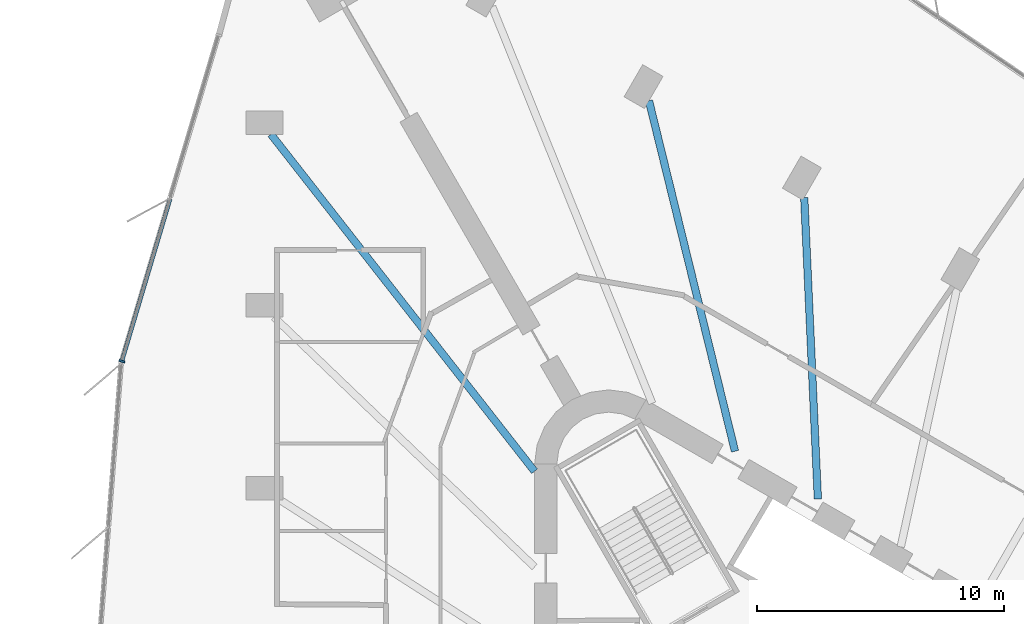
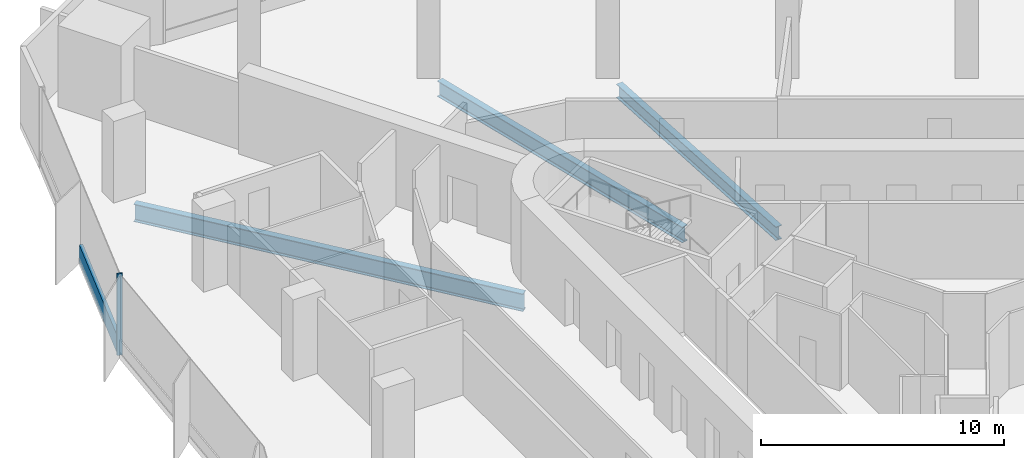
# One storey, part 4 of 15: 3 beams, 2 members, 1 element without a shape of its own.
"""IFC4 building model written with IfcOpenShell, lengths in metres."""

from ifc_helpers import new_model, si_unit, direction, frame, origin, origin_2d, place, context, subcontext, project, spatial, rectangle, i_section, extrude, material, material_profile, profile_set, type_object, element, aggregate, save


model = new_model("IFC4")

# Units and contexts
model_context = context("Model", 3, precision=1e-05, world=origin(), true_north=direction((0.0, 1.0)))
body_context = subcontext(model_context, "Body", "Model", "MODEL_VIEW")
ifc_project = project(units=[si_unit("LENGTHUNIT", "METRE"), si_unit("AREAUNIT", "SQUARE_METRE"), si_unit("VOLUMEUNIT", "CUBIC_METRE"), si_unit("PLANEANGLEUNIT", "RADIAN"), si_unit("MASSUNIT", "GRAM", prefix="KILO")], contexts=[model_context])

# Site, building, storey
site_placement = place(None, origin())
site = spatial("IfcSite", under=ifc_project, at=site_placement, CompositionType="ELEMENT")
building_placement = place(site_placement, origin())
building = spatial("IfcBuilding", under=site, at=building_placement, Name="Tanit Gate Tower", CompositionType="ELEMENT")
storey_placement = place(building_placement, frame((0.0, 0.0, 94.699951171875)))
storey = spatial("IfcBuildingStorey", under=building, at=storey_placement, Name="L19", CompositionType="ELEMENT", Elevation=94.699951171875)

# Curtain wall, member
ifc_material_1 = material(Name="Aluminium bronze anodised and glass", Category="aluminium")
curtain_wall_type = type_object("IfcCurtainWallType", Name="Curtain wall typical low", PredefinedType="NOTDEFINED", material=ifc_material_1)
curtain_wall_placement = place(storey_placement, origin())
curtain_wall = element("IfcCurtainWall", 1, at=curtain_wall_placement, inside=storey, type_object=curtain_wall_type, Name="Curtain wall L19 W1", PredefinedType="NOTDEFINED")
ifc_material_2 = material(Name="Aluminium bronze anodised", Category="aluminium")
ifc_material_profile_1 = material_profile(ifc_material_2, rectangle(XDim=0.239990234375, YDim=0.080078125, at=origin_2d()), Name="80x240 bronze mullion")
ifc_profile_set_1 = profile_set([ifc_material_profile_1], Name="Aluminium bronze anodised")
member_type_1 = type_object("IfcMemberType", Name="Mullion 80x240 typical low", PredefinedType="MULLION", material=ifc_profile_set_1)
member_1_placement = place(storey_placement, frame((-28.783935546875, 19.92041015625, -0.300048828125), z_axis=(0.0, 0.0, 1.0), x_axis=(0.958516563213, -0.285036836298, 0.0)))
member_1 = element("IfcMember", 2, at=member_1_placement, type_object=member_type_1, Name="Mullion L19 W1.3", PredefinedType="MULLION", context=body_context, shape_type="SweptSolid", body=[
    extrude(rectangle(XDim=0.239990234375, YDim=0.080078125, at=origin_2d()), origin(), (0.0, 0.0, 1.0), 4.10009765625),
])

# Beams
ifc_material_3 = material(Name="Steel S355", Category="steel")
ifc_material_profile_2 = material_profile(ifc_material_3, i_section(OverallWidth=0.300048828125, OverallDepth=0.68994140625, WebThickness=0.014404296875, FlangeThickness=0.027099609375, FilletRadius=0.027099609375, at=origin_2d()), Name="HEA 700")
ifc_profile_set_2 = profile_set([ifc_material_profile_2], Name="Steel S355")
beam_type_1 = type_object("IfcBeamType", Name="RADIAL GIRDER HEA 700 S355", PredefinedType="BEAM", material=ifc_profile_set_2)
beam_1_placement = place(storey_placement, frame((-1.19921875, 26.538818359375, -0.64501953125), z_axis=(0.045135401382, -0.998980878467, 0.0), x_axis=(0.998980878467, 0.045135401382, 0.0)))
element("IfcBeam", 3, at=beam_1_placement, inside=storey, type_object=beam_type_1, Name="RADIAL GIRDER", PredefinedType="BEAM", context=body_context, shape_type="SweptSolid", body=[
    extrude(i_section(OverallWidth=0.300048828125, OverallDepth=0.68994140625, WebThickness=0.014404296875, FlangeThickness=0.027099609375, FilletRadius=0.027099609375, at=origin_2d()), origin(), (0.0, 0.0, 1.0), 12.202880859375),
])
ifc_material_4 = material(Name="Steel S355", Category="steel")
ifc_material_profile_3 = material_profile(ifc_material_4, i_section(OverallWidth=0.300048828125, OverallDepth=0.7900390625, WebThickness=0.014892578125, FlangeThickness=0.028076171875, FilletRadius=0.030029296875, at=origin_2d()), Name="HEA 800")
ifc_profile_set_3 = profile_set([ifc_material_profile_3], Name="Steel S355")
beam_type_2 = type_object("IfcBeamType", Name="RADIAL GIRDER HEA 800 S355", PredefinedType="BEAM", material=ifc_profile_set_3)
beam_2_placement = place(storey_placement, frame((-7.476318359375, 30.44921875, -0.695068359375), z_axis=(0.238441937153, -0.97115675491, 0.0), x_axis=(0.97115675491, 0.238441937153, 0.0)))
element("IfcBeam", 4, at=beam_2_placement, inside=storey, type_object=beam_type_2, Name="RADIAL GIRDER", PredefinedType="BEAM", context=body_context, shape_type="SweptSolid", body=[
    extrude(i_section(OverallWidth=0.300048828125, OverallDepth=0.7900390625, WebThickness=0.014892578125, FlangeThickness=0.028076171875, FilletRadius=0.030029296875, at=origin_2d()), origin(), (0.0, 0.0, 1.0), 14.58740234375),
])
ifc_material_5 = material(Name="Steel S355", Category="steel")
ifc_material_profile_4 = material_profile(ifc_material_5, i_section(OverallWidth=0.300048828125, OverallDepth=0.889892578125, WebThickness=0.01611328125, FlangeThickness=0.030029296875, FilletRadius=0.030029296875, at=origin_2d()), Name="HEA 900")
ifc_profile_set_4 = profile_set([ifc_material_profile_4], Name="Steel S355")
beam_type_3 = type_object("IfcBeamType", Name="RADIAL GIRDER HEA 900 S355", PredefinedType="BEAM", material=ifc_profile_set_4)
beam_3_placement = place(storey_placement, frame((-22.755126953125, 29.0908203125, -0.744873046875), z_axis=(0.616108365998, -0.787661400188, 0.0), x_axis=(0.787661400188, 0.616108365998, 0.0)))
element("IfcBeam", 5, at=beam_3_placement, inside=storey, type_object=beam_type_3, Name="RADIAL GIRDER", PredefinedType="BEAM", context=body_context, shape_type="SweptSolid", body=[
    extrude(i_section(OverallWidth=0.300048828125, OverallDepth=0.889892578125, WebThickness=0.01611328125, FlangeThickness=0.030029296875, FilletRadius=0.030029296875, at=origin_2d()), origin(), (0.0, 0.0, 1.0), 17.291015625),
])

# Member
ifc_material_6 = material(Name="Aluminium bronze anodised", Category="aluminium")
ifc_material_profile_5 = material_profile(ifc_material_6, rectangle(XDim=0.159912109375, YDim=0.89990234375, at=origin_2d()), Name="160x900 bronze transom")
ifc_profile_set_5 = profile_set([ifc_material_profile_5], Name="Aluminium bronze anodised")
member_type_2 = type_object("IfcMemberType", Name="Transom 160x900 typical low", PredefinedType="USERDEFINED", material=ifc_profile_set_5)
member_2_placement = place(storey_placement, frame((-26.835205078125, 26.47314453125, 0.150146484375), z_axis=(-0.285043413726, -0.95851460724, 0.0), x_axis=(0.95851460724, -0.285043413726, 0.0)))
member_2 = element("IfcMember", 6, at=member_2_placement, type_object=member_type_2, Name="Transom L19 W1.2", ObjectType="TRANSOM", PredefinedType="USERDEFINED", context=body_context, shape_type="SweptSolid", body=[
    extrude(rectangle(XDim=0.159912109375, YDim=0.89990234375, at=origin_2d()), origin(), (0.0, 0.0, 1.0), 6.79638671875),
])

aggregate(curtain_wall, [member_1, member_2])

save(model, "model.ifc")
